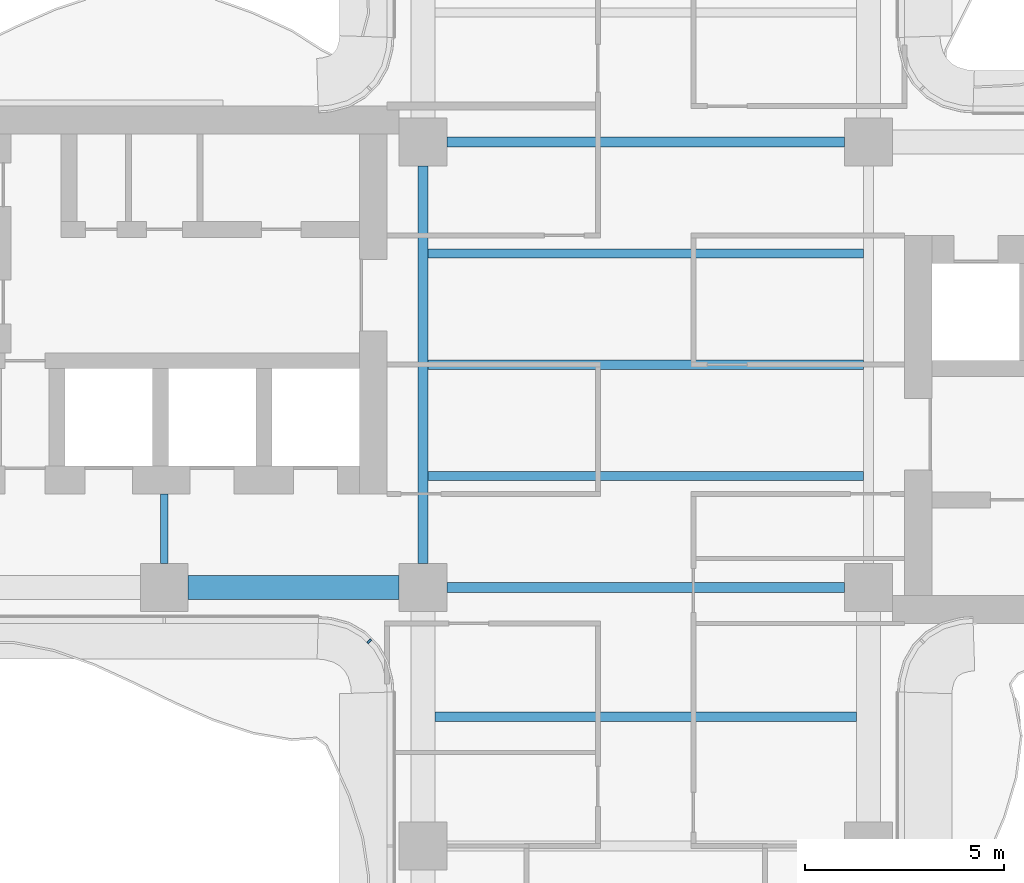
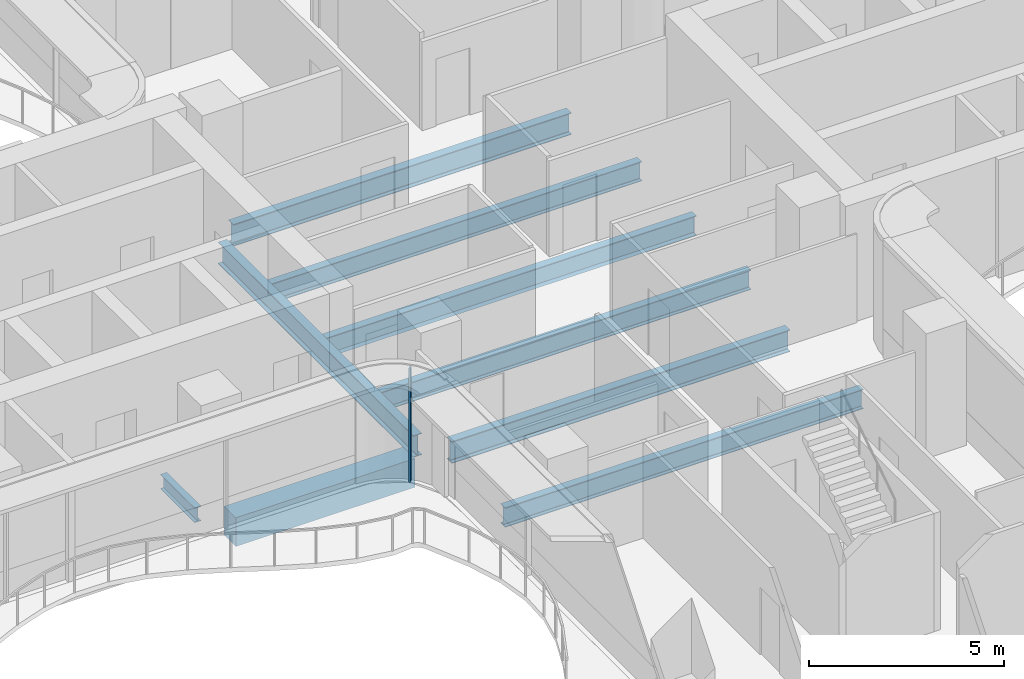
# One storey, part 4 of 17: 9 beams, 1 member, 1 element without a shape of its own.
"""IFC4 building model written with IfcOpenShell, lengths in metres."""

import ifcopenshell
import ifcopenshell.guid

model = None  # the IFC model being written
_history = None  # IfcOwnerHistory: only IFC2X3 demands one
_inside = {}  # id of a spatial element -> (the spatial element, [elements in it])
_under = {}  # id of a project, library or spatial element -> (it, [spatial elements below it])
_declared = {}  # id of a project -> (the project, [libraries it declares])
_typed = {}  # id of a type object -> (the type object, [elements of that type])
_made_of = {}  # id of a material, layer set ... -> (it, [elements and type objects made of it])


def new_model(schema):
    """Start an empty IFC model of exactly this schema.

    Asked for "IFC4X3", IfcOpenShell would pick the latest addendum, in which some entities
    have other attributes; the version numbers below select the first issue.
    IFC2X3 requires an IfcOwnerHistory on every rooted entity: one is made here for all.
    """
    global model, _history
    if schema == "IFC4X3":
        model = ifcopenshell.file(schema_version=(4, 3, 0, 0))
    else:
        model = ifcopenshell.file(schema=schema)
    _inside.clear()
    _under.clear()
    _declared.clear()
    _typed.clear()
    _made_of.clear()
    _history = None
    if model.schema == "IFC2X3":
        org = make("IfcOrganization", Name="unknown")
        user = make(
            "IfcPersonAndOrganization",
            ThePerson=make("IfcPerson", FamilyName="unknown"),
            TheOrganization=org,
        )
        app = make(
            "IfcApplication",
            ApplicationDeveloper=org,
            Version="unknown",
            ApplicationFullName="unknown",
            ApplicationIdentifier="unknown",
        )
        _history = make(
            "IfcOwnerHistory",
            OwningUser=user,
            OwningApplication=app,
            ChangeAction="ADDED",
            CreationDate=0,
        )
    return model


def make(cls, **values):
    """One entity of the class cls with the attributes given. An attribute that is None is left unset."""
    return model.create_entity(
        cls, **{name: value for name, value in values.items() if value is not None}
    )


def rooted(cls, **values):
    """An entity with a GlobalId (a new one), such as an element, a storey or a relation."""
    return make(cls, GlobalId=ifcopenshell.guid.new(), OwnerHistory=_history, **values)


def si_unit(unit_type, name, prefix=None):
    """IfcSIUnit, for example si_unit("LENGTHUNIT", "METRE", prefix="MILLI")."""
    return make("IfcSIUnit", UnitType=unit_type, Prefix=prefix, Name=name)


def assignment(units):
    """IfcUnitAssignment: the units of a project."""
    return None if units is None else make("IfcUnitAssignment", Units=units)


def point(xyz):
    """IfcCartesianPoint."""
    return None if xyz is None else make("IfcCartesianPoint", Coordinates=xyz)


def direction(xyz):
    """IfcDirection."""
    return None if xyz is None else make("IfcDirection", DirectionRatios=xyz)


def frame(location, z_axis=None, x_axis=None):
    """IfcAxis2Placement3D, a coordinate frame: its origin and axes. An axis left out is left unset."""
    return make(
        "IfcAxis2Placement3D",
        Location=point(location),
        Axis=direction(z_axis),
        RefDirection=direction(x_axis),
    )


def frame_2d(location, x_axis=None):
    """IfcAxis2Placement2D, a coordinate frame in the plane: its origin and x axis."""
    return make(
        "IfcAxis2Placement2D", Location=point(location), RefDirection=direction(x_axis)
    )


def origin():
    """The frame at (0, 0, 0) with its axes left unset."""
    return frame((0.0, 0.0, 0.0))


def origin_2d():
    """The frame at (0, 0) in the plane with its x axis left unset."""
    return frame_2d((0.0, 0.0))


def place(relative_to, where):
    """IfcLocalPlacement: puts the frame where relative to a parent placement (None: the world)."""
    return make(
        "IfcLocalPlacement", PlacementRelTo=relative_to, RelativePlacement=where
    )


def context(
    kind, dimensions, precision=None, world=None, true_north=None, identifier=None
):
    """IfcGeometricRepresentationContext, for example the 3D "Model" context."""
    return make(
        "IfcGeometricRepresentationContext",
        ContextIdentifier=identifier,
        ContextType=kind,
        CoordinateSpaceDimension=dimensions,
        Precision=precision,
        WorldCoordinateSystem=world,
        TrueNorth=true_north,
    )


def subcontext(parent, identifier, kind, view, scale=None):
    """IfcGeometricRepresentationSubContext, for example "Body" below "Model"."""
    return make(
        "IfcGeometricRepresentationSubContext",
        ContextIdentifier=identifier,
        ContextType=kind,
        ParentContext=parent,
        TargetScale=scale,
        TargetView=view,
    )


def project(units=None, contexts=None):
    """IfcProject with its units and contexts."""
    return rooted(
        "IfcProject",
        Name="project",
        RepresentationContexts=contexts,
        UnitsInContext=assignment(units),
    )


def spatial(cls, under=None, at=None, **own):
    """A site, building, storey or space (cls), placed at a placement, below another one or the project."""
    s = rooted(cls, ObjectPlacement=at, **own)
    if under is not None:
        _under.setdefault(under.id(), (under, []))[1].append(s)
    return s


def profile(cls, at=None, kind="AREA", **sizes):
    """A parametric profile (cls). Its sizes go by their IFC names, for example OverallWidth=200.0."""
    return make(cls, ProfileType=kind, Position=at, **sizes)


def rectangle(**sizes):
    """IfcRectangleProfileDef."""
    return profile("IfcRectangleProfileDef", **sizes)


def i_section(**sizes):
    """IfcIShapeProfileDef."""
    return profile("IfcIShapeProfileDef", **sizes)


def extrude(swept, where, along, depth):
    """IfcExtrudedAreaSolid: the profile swept, set in the frame where, extruded along a direction by depth."""
    return make(
        "IfcExtrudedAreaSolid",
        SweptArea=swept,
        Position=where,
        ExtrudedDirection=direction(along),
        Depth=depth,
    )


def shape(context_of_items, identifier, shape_type, items):
    """IfcShapeRepresentation: the items that make up one representation, for example the "Body"."""
    return make(
        "IfcShapeRepresentation",
        ContextOfItems=context_of_items,
        RepresentationIdentifier=identifier,
        RepresentationType=shape_type,
        Items=items,
    )


def source(mapping_origin, context_of_items, identifier, shape_type, items):
    """IfcRepresentationMap: a shape defined once, which mapped items show again and again."""
    return make(
        "IfcRepresentationMap",
        MappingOrigin=mapping_origin,
        MappedRepresentation=shape(context_of_items, identifier, shape_type, items),
    )


def transform(
    local_origin,
    x_axis=None,
    y_axis=None,
    z_axis=None,
    scale=None,
    scale2=None,
    scale3=None,
    uniform=True,
):
    """IfcCartesianTransformationOperator3D, or its non-uniform kind. x_axis, y_axis, z_axis: its Axis1, 2, 3."""
    if uniform:
        return make(
            "IfcCartesianTransformationOperator3D",
            Axis1=direction(x_axis),
            Axis2=direction(y_axis),
            LocalOrigin=point(local_origin),
            Scale=scale,
            Axis3=direction(z_axis),
        )
    return make(
        "IfcCartesianTransformationOperator3DnonUniform",
        Axis1=direction(x_axis),
        Axis2=direction(y_axis),
        LocalOrigin=point(local_origin),
        Scale=scale,
        Axis3=direction(z_axis),
        Scale2=scale2,
        Scale3=scale3,
    )


def mapped(mapping_source, mapping_target):
    """IfcMappedItem: shows the shape of a source again, moved by a transform."""
    return make(
        "IfcMappedItem", MappingSource=mapping_source, MappingTarget=mapping_target
    )


def material(Name=None, Category=None):
    """IfcMaterial."""
    return make("IfcMaterial", Name=Name, Category=Category)


def layer(
    of_material, thickness, ventilated=None, Name=None, Category=None, Priority=None
):
    """IfcMaterialLayer: one layer of a wall or slab, of a material (None: an air gap)."""
    return make(
        "IfcMaterialLayer",
        Material=of_material,
        LayerThickness=thickness,
        IsVentilated=ventilated,
        Name=Name,
        Category=Category,
        Priority=Priority,
    )


def layer_set(layers, Name=None):
    """IfcMaterialLayerSet."""
    return make("IfcMaterialLayerSet", MaterialLayers=layers, LayerSetName=Name)


def material_profile(
    of_material, cross_section, Name=None, Category=None, Priority=None
):
    """IfcMaterialProfile: a cross section and its material."""
    return make(
        "IfcMaterialProfile",
        Name=Name,
        Material=of_material,
        Profile=cross_section,
        Priority=Priority,
        Category=Category,
    )


def profile_set(profiles, Name=None, composite=None):
    """IfcMaterialProfileSet."""
    return make(
        "IfcMaterialProfileSet",
        Name=Name,
        MaterialProfiles=profiles,
        CompositeProfile=composite,
    )


def made_of(thing, what):
    """Note that an element or type object is made of a material, layer set ...; save() writes the relation."""
    if what is not None:
        _made_of.setdefault(what.id(), (what, []))[1].append(thing)
    return thing


def type_object(cls, material=None, **own):
    """A type object (cls), such as IfcWallType, which elements share."""
    return made_of(rooted(cls, **own), material)


def element(
    cls,
    number,
    at=None,
    inside=None,
    cuts=None,
    type_object=None,
    material=None,
    context=None,
    identifier="Body",
    shape_type=None,
    held_by="IfcProductDefinitionShape",
    body=None,
    shapes=None,
    **own,
):
    """One element of the class cls, such as IfcWall. Its Tag is "e" and its number.

    at: its placement. inside: the storey or other place that contains it. cuts: it is an
    opening in that element (IfcRelVoidsElement). A single representation is given by context,
    identifier, shape_type and body (its items); several are given by shapes. held_by: the class
    of the entity that holds the representations. save() writes the other relations.
    """
    e = rooted(cls, Tag="e%d" % number, ObjectPlacement=at, **own)
    if body is not None:
        shapes = [shape(context, identifier, shape_type, body)]
    if shapes is not None:
        e.Representation = make(held_by, Representations=shapes)
    if inside is not None:
        _inside.setdefault(inside.id(), (inside, []))[1].append(e)
    if cuts is not None:
        rooted(
            "IfcRelVoidsElement", RelatingBuildingElement=cuts, RelatedOpeningElement=e
        )
    if type_object is not None:
        _typed.setdefault(type_object.id(), (type_object, []))[1].append(e)
    return made_of(e, material)


def aggregate(whole, parts):
    """IfcRelAggregates: a whole, such as a stair, and the parts it consists of."""
    return rooted("IfcRelAggregates", RelatingObject=whole, RelatedObjects=parts)


def save(model, path):
    """Write the relations noted so far, then the file.

    IfcRelAggregates (storeys below a building ...), IfcRelContainedInSpatialStructure (elements
    in a storey), IfcRelDefinesByType, IfcRelAssociatesMaterial and IfcRelDeclares: one each for
    every whole, place, type object, material and project.
    """
    for whole, parts in _under.values():
        aggregate(whole, parts)
    for where, things in _inside.values():
        rooted(
            "IfcRelContainedInSpatialStructure",
            RelatedElements=things,
            RelatingStructure=where,
        )
    for kind, things in _typed.values():
        rooted("IfcRelDefinesByType", RelatedObjects=things, RelatingType=kind)
    for what, things in _made_of.values():
        rooted("IfcRelAssociatesMaterial", RelatedObjects=things, RelatingMaterial=what)
    for by, libraries in _declared.values():
        rooted("IfcRelDeclares", RelatingContext=by, RelatedDefinitions=libraries)
    model.write(path)


model = new_model("IFC4")

# Units and contexts
model_context = context("Model", 3, precision=1e-05, world=origin(), true_north=direction((0.0, 1.0)))
body_context = subcontext(model_context, "Body", "Model", "MODEL_VIEW")
ifc_project = project(units=[si_unit("LENGTHUNIT", "METRE"), si_unit("AREAUNIT", "SQUARE_METRE"), si_unit("VOLUMEUNIT", "CUBIC_METRE"), si_unit("PLANEANGLEUNIT", "RADIAN"), si_unit("MASSUNIT", "GRAM", prefix="KILO")], contexts=[model_context])

# Site, building, storey
site_placement = place(None, origin())
site = spatial("IfcSite", under=ifc_project, at=site_placement, CompositionType="ELEMENT")
building_placement = place(site_placement, origin())
building = spatial("IfcBuilding", under=site, at=building_placement, Name="Trellis Farm Tower", CompositionType="ELEMENT")
storey_placement = place(building_placement, frame((0.0, 0.0, 181.5)))
storey = spatial("IfcBuildingStorey", under=building, at=storey_placement, Name="L39", CompositionType="ELEMENT", Elevation=181.5)

# Beams
ifc_material_1 = material(Name="Concrete C60/75", Category="concrete")
ifc_material_profile_1 = material_profile(ifc_material_1, rectangle(XDim=0.60009765625, YDim=0.89990234375, at=origin_2d()), Name="RC spandrel beam 600x900 C60/75")
ifc_profile_set_1 = profile_set([ifc_material_profile_1], Name="Concrete C60/75")
beam_type_1 = type_object("IfcBeamType", Name="RC spandrel beam 600x900 C60/75", PredefinedType="SPANDREL", material=ifc_profile_set_1)
shared_shape_1 = source(origin(), body_context, "Body", "SweptSolid", [
    extrude(rectangle(XDim=0.60009765625, YDim=0.89990234375, at=origin_2d()), origin(), (0.0, 0.0, 1.0), 5.300048828125),
])
beam_1_placement = place(storey_placement, frame((-11.5, -5.60009765625, -0.64990234375), z_axis=(1.0, 0.0, 0.0), x_axis=(0.0, 1.0, 0.0)))
element("IfcBeam", 1, at=beam_1_placement, inside=storey, type_object=beam_type_1, Name="Girder", PredefinedType="SPANDREL", context=body_context, shape_type="MappedRepresentation", body=[
    mapped(shared_shape_1, transform((0.0, 0.0, 0.0))),
])
ifc_material_2 = material(Name="Steel S355", Category="steel")
ifc_material_profile_2 = material_profile(ifc_material_2, i_section(OverallWidth=0.253662109375, OverallDepth=0.68359375, WebThickness=0.012451171875, FlangeThickness=0.021728515625, FilletRadius=0.01513671875, at=origin_2d()), Name="UB 686x254x140")
ifc_profile_set_2 = profile_set([ifc_material_profile_2], Name="Steel S355")
beam_type_2 = type_object("IfcBeamType", Name="UB 686x254x140", PredefinedType="BEAM", material=ifc_profile_set_2)
shared_shape_2 = source(origin(), body_context, "Body", "SweptSolid", [
    extrude(i_section(OverallWidth=0.253662109375, OverallDepth=0.68359375, WebThickness=0.012451171875, FlangeThickness=0.021728515625, FilletRadius=0.01513671875, at=origin_2d()), origin(), (0.0, 0.0, 1.0), 10.0),
])
for number, where, z_axis, x_axis, name in (
    (2, (-5.0, -5.60009765625, -0.541748046875), (1.0, 0.0, 0.0), (0.0, 1.0, 0.0), "Girder"),
    (3, (-5.0, 5.60009765625, -0.541748046875), (1.0, 0.0, 0.0), (0.0, 1.0, 0.0), "Girder"),
    (4, (-5.60009765625, -5.0, -0.541748046875), (0.0, 1.0, 0.0), (-1.0, 0.0, 0.0), "Girder"),
):
    element("IfcBeam", number, at=place(storey_placement, frame(where, z_axis=z_axis, x_axis=x_axis)), inside=storey, type_object=beam_type_2, Name=name, PredefinedType="BEAM", context=body_context, shape_type="MappedRepresentation", body=[
        mapped(shared_shape_2, transform((0.0, 0.0, 0.0))),
    ])
ifc_material_profile_3 = material_profile(ifc_material_2, i_section(OverallWidth=0.1904296875, OverallDepth=0.45703125, WebThickness=0.009033203125, FlangeThickness=0.014404296875, FilletRadius=0.01025390625, at=origin_2d()), Name="UB 457x191x74")
ifc_profile_set_3 = profile_set([ifc_material_profile_3], Name="Steel S355")
beam_type_3 = type_object("IfcBeamType", Name="UB 457x191x74", PredefinedType="BEAM", material=ifc_profile_set_3)
shared_shape_3 = source(origin(), body_context, "Body", "SweptSolid", [
    extrude(i_section(OverallWidth=0.1904296875, OverallDepth=0.45703125, WebThickness=0.009033203125, FlangeThickness=0.014404296875, FilletRadius=0.01025390625, at=origin_2d()), origin(), (0.0, 0.0, 1.0), 1.75),
])
beam_2_placement = place(storey_placement, frame((-12.10009765625, -5.0, -0.428466796875), z_axis=(0.0, 1.0, 0.0), x_axis=(-1.0, 0.0, 0.0)))
element("IfcBeam", 5, at=beam_2_placement, inside=storey, type_object=beam_type_3, Name="Girder", PredefinedType="BEAM", context=body_context, shape_type="MappedRepresentation", body=[
    mapped(shared_shape_3, transform((0.0, 0.0, 0.0))),
])
ifc_material_profile_4 = material_profile(ifc_material_2, i_section(OverallWidth=0.22900390625, OverallDepth=0.6123046875, WebThickness=0.011962890625, FlangeThickness=0.01953125, FilletRadius=0.0126953125, at=origin_2d()), Name="UB 610x229x125")
ifc_profile_set_4 = profile_set([ifc_material_profile_4], Name="Steel S355")
beam_type_4 = type_object("IfcBeamType", Name="UB 610x229x125 joist", PredefinedType="JOIST", material=ifc_profile_set_4)
shared_shape_4 = source(origin(), body_context, "Body", "SweptSolid", [
    extrude(i_section(OverallWidth=0.22900390625, OverallDepth=0.6123046875, WebThickness=0.011962890625, FlangeThickness=0.01953125, FilletRadius=0.0126953125, at=origin_2d()), origin(), (0.0, 0.0, 1.0), 10.9462890625),
])
for number, where, z_axis, x_axis, name in (
    (6, (-5.47314453125, -2.800048828125, -0.506103515625), (1.0, 0.0, 0.0), (0.0, 1.0, 0.0), "Floor beam"),
    (7, (-5.47314453125, 0.0, -0.506103515625), (1.0, 0.0, 0.0), (0.0, 1.0, 0.0), "Floor beam"),
    (8, (-5.47314453125, 2.800048828125, -0.506103515625), (1.0, 0.0, 0.0), (0.0, 1.0, 0.0), "Floor beam"),
):
    element("IfcBeam", number, at=place(storey_placement, frame(where, z_axis=z_axis, x_axis=x_axis)), inside=storey, type_object=beam_type_4, Name=name, PredefinedType="JOIST", context=body_context, shape_type="MappedRepresentation", body=[
        mapped(shared_shape_4, transform((0.0, 0.0, 0.0))),
    ])
shared_shape_5 = source(origin(), body_context, "Body", "SweptSolid", [
    extrude(i_section(OverallWidth=0.22900390625, OverallDepth=0.6123046875, WebThickness=0.011962890625, FlangeThickness=0.01953125, FilletRadius=0.0126953125, at=origin_2d()), origin(), (0.0, 0.0, 1.0), 10.60009765625),
])
beam_3_placement = place(storey_placement, frame((-5.300048828125, -8.85009765625, -0.506103515625), z_axis=(1.0, 0.0, 0.0), x_axis=(0.0, 1.0, 0.0)))
element("IfcBeam", 9, at=beam_3_placement, inside=storey, type_object=beam_type_4, Name="Floor beam", PredefinedType="JOIST", context=body_context, shape_type="MappedRepresentation", body=[
    mapped(shared_shape_5, transform((0.0, 0.0, 0.0))),
])

# Curtain wall, member
ifc_material_3 = material(Name="Aluminium and glass curtain wall", Category="aluminium")
ifc_layer = layer(ifc_material_3, 0.166015625)
ifc_layer_set = layer_set([ifc_layer], Name="WINTER GARDEN CURTAIN WALL CW3")
curtain_wall_type = type_object("IfcCurtainWallType", Name="WINTER GARDEN CURTAIN WALL CW3", PredefinedType="NOTDEFINED", material=ifc_layer_set)
curtain_wall_placement = place(storey_placement, origin())
curtain_wall = element("IfcCurtainWall", 10, at=curtain_wall_placement, inside=storey, type_object=curtain_wall_type, Name="CW3 001", PredefinedType="NOTDEFINED")
ifc_material_4 = material(Name="Aluminium extrusion 6063-T6", Category="aluminium")
ifc_material_profile_5 = material_profile(ifc_material_4, rectangle(XDim=0.050048828125, YDim=0.1201171875, at=origin_2d()), Name="MULLION 50x120")
ifc_profile_set_5 = profile_set([ifc_material_profile_5], Name="Aluminium extrusion 6063-T6")
member_type = type_object("IfcMemberType", Name="CW3 MULLION 50x120", PredefinedType="MULLION", material=ifc_profile_set_5)
shared_shape_6 = source(origin(), body_context, "Body", "SweptSolid", [
    extrude(rectangle(XDim=0.050048828125, YDim=0.1201171875, at=origin_2d()), origin(), (0.0, 0.0, 1.0), 3.550048828125),
])
member_placement = place(storey_placement, frame((-6.953125, -6.953125, 0.0), z_axis=(0.0, 0.0, 1.0), x_axis=(0.707106781187, -0.707106781187, 0.0)))
member = element("IfcMember", 11, at=member_placement, type_object=member_type, Name="MU3 001-01", PredefinedType="MULLION", context=body_context, shape_type="MappedRepresentation", body=[
    mapped(shared_shape_6, transform((0.0, 0.0, 0.0))),
])
aggregate(curtain_wall, [member])

save(model, "model.ifc")
